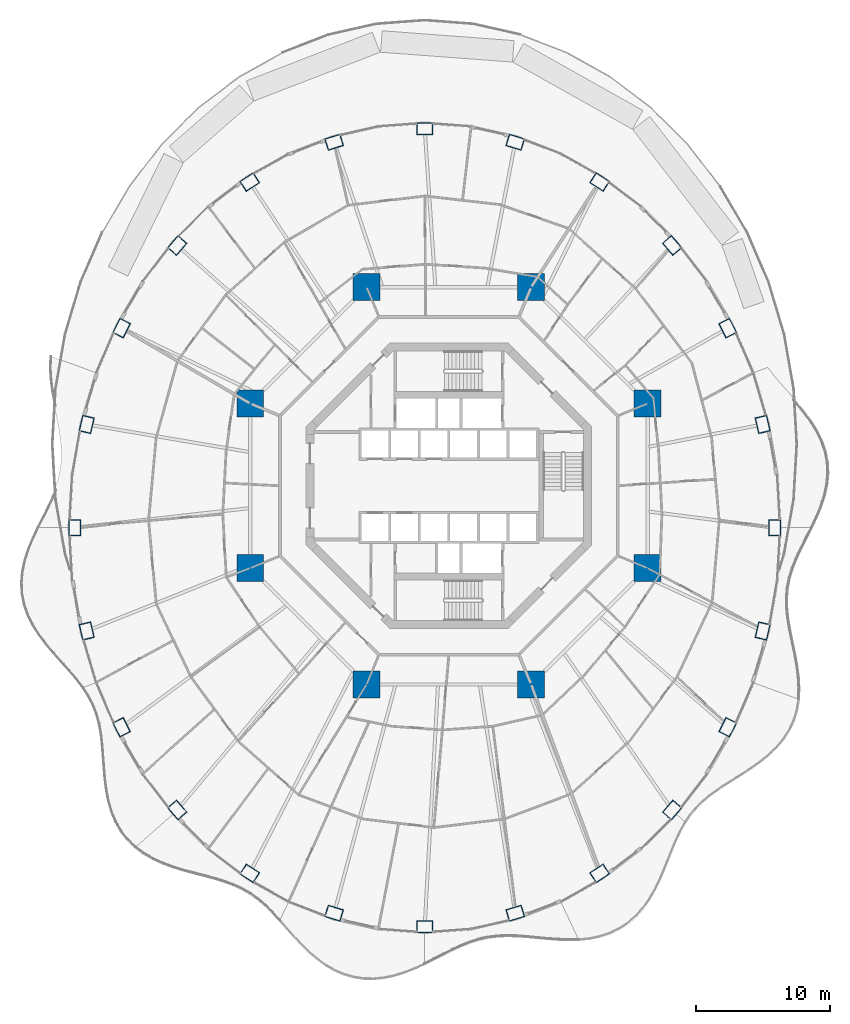
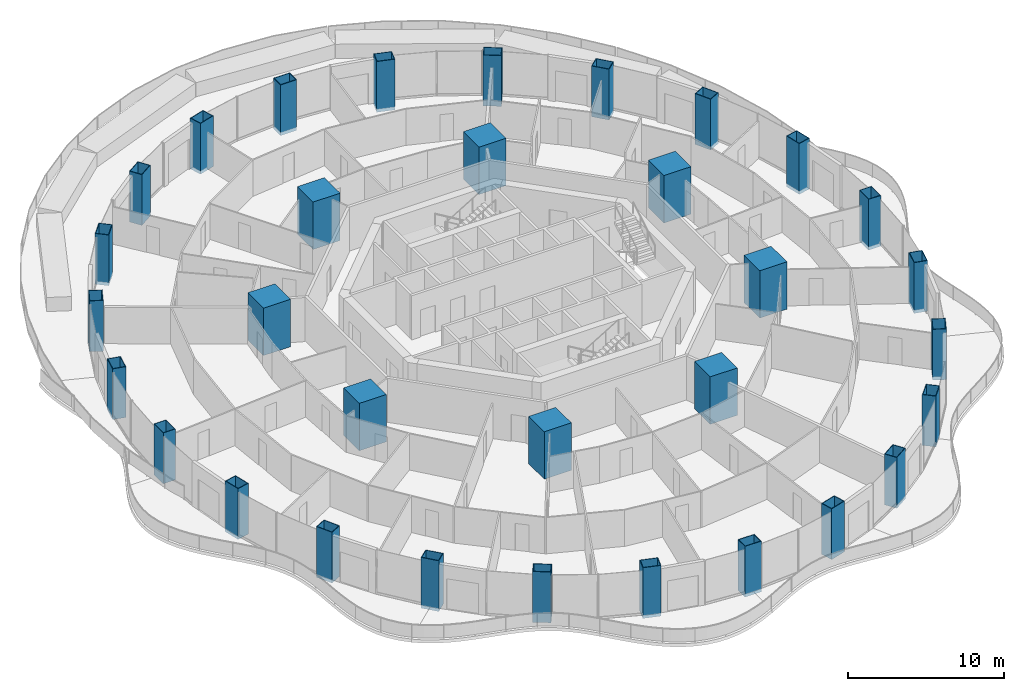
# One storey, part 1 of 20: 32 columns.
"""IFC4 building model written with IfcOpenShell, lengths in metres."""

from ifc_helpers import new_model, si_unit, direction, frame, origin, origin_2d, place, context, subcontext, project, spatial, rectangle, hollow_rectangle, extrude, material, material_profile, profile_set, type_object, element, save


model = new_model("IFC4")

# Units and contexts
model_context = context("Model", 3, precision=1e-05, world=origin(), true_north=direction((0.0, 1.0)))
body_context = subcontext(model_context, "Body", "Model", "MODEL_VIEW")
ifc_project = project(units=[si_unit("LENGTHUNIT", "METRE"), si_unit("AREAUNIT", "SQUARE_METRE"), si_unit("VOLUMEUNIT", "CUBIC_METRE"), si_unit("PLANEANGLEUNIT", "RADIAN"), si_unit("MASSUNIT", "GRAM", prefix="KILO")], contexts=[model_context])

# Site, building, storey
site_placement = place(None, origin())
site = spatial("IfcSite", under=ifc_project, at=site_placement, CompositionType="ELEMENT")
building_placement = place(site_placement, origin())
building = spatial("IfcBuilding", under=site, at=building_placement, Name="Nagisa Residences", CompositionType="ELEMENT")
storey_placement = place(building_placement, frame((0.0, 0.0, 119.60009765625)))
storey = spatial("IfcBuildingStorey", under=building, at=storey_placement, Name="L29", CompositionType="ELEMENT", Elevation=119.60009765625)

# Columns
ifc_material_1 = material(Name="Concrete C80", Category="concrete")
ifc_material_profile_1 = material_profile(ifc_material_1, rectangle(XDim=2.0, YDim=2.0, at=origin_2d()), Name="C80 2000x2000")
ifc_profile_set_1 = profile_set([ifc_material_profile_1], Name="Concrete C80")
column_type_1 = type_object("IfcColumnType", Name="Inner megacolumn C80 2000x2000", PredefinedType="COLUMN", material=ifc_profile_set_1)
for number, where, z_axis, x_axis, name in (
    (1, (14.781982421875, 6.123046875, 0.0), (0.0, 0.0, 1.0), (1.0, 0.0, 0.0), "col:L29:i1"),
    (2, (6.123046875, 14.781982421875, 0.0), (0.0, 0.0, 1.0), (1.0, 0.0, 0.0), "col:L29:i2"),
    (3, (-6.123046875, 14.781982421875, 0.0), (0.0, 0.0, 1.0), (1.0, 0.0, 0.0), "col:L29:i3"),
    (4, (-14.781982421875, 6.123046875, 0.0), (0.0, 0.0, 1.0), (1.0, 0.0, 0.0), "col:L29:i4"),
    (5, (-14.781982421875, -6.123046875, 0.0), (0.0, 0.0, 1.0), (1.0, 0.0, 0.0), "col:L29:i5"),
    (6, (-6.123046875, -14.781982421875, 0.0), (0.0, 0.0, 1.0), (1.0, 0.0, 0.0), "col:L29:i6"),
    (7, (6.123046875, -14.781982421875, 0.0), (0.0, 0.0, 1.0), (1.0, 0.0, 0.0), "col:L29:i7"),
    (8, (14.781982421875, -6.123046875, 0.0), (0.0, 0.0, 1.0), (1.0, 0.0, 0.0), "col:L29:i8"),
):
    element("IfcColumn", number, at=place(storey_placement, frame(where, z_axis=z_axis, x_axis=x_axis)), inside=storey, type_object=column_type_1, Name=name, PredefinedType="COLUMN", context=body_context, shape_type="SweptSolid", body=[
        extrude(rectangle(XDim=2.0, YDim=2.0, at=origin_2d()), origin(), (0.0, 0.0, 1.0), 3.699951171875),
    ])
ifc_material_2 = material(Name="Steel ASTM A572 Gr 50", Category="steel")
ifc_material_profile_2 = material_profile(ifc_material_2, hollow_rectangle(XDim=1.199951171875, YDim=0.89990234375, WallThickness=0.0400390625, at=origin_2d()), Name="BX 1200x900x40")
ifc_profile_set_2 = profile_set([ifc_material_profile_2], Name="Steel ASTM A572 Gr 50")
column_type_2 = type_object("IfcColumnType", Name="Perimeter column BX 1200x900x40", PredefinedType="COLUMN", material=ifc_profile_set_2)
for number, where, z_axis, x_axis, name in (
    (9, (24.235107421875, -3.11767578125, -0.260009765625), (0.0, 0.0, 1.0), (0.0, 1.0, 0.0), "col:L29:p00"),
    (10, (23.347900390625, 4.56787109375, -0.260009765625), (0.0, 0.0, 1.0), (-0.229202013103, 0.973378876486, 0.0), "col:L29:p01"),
    (11, (20.7470703125, 11.729736328125, -0.260009765625), (0.0, 0.0, 1.0), (-0.452462697578, 0.891783329795, 0.0), "col:L29:p02"),
    (12, (16.609619140625, 17.8798828125, -0.260009765625), (0.0, 0.0, 1.0), (-0.660114607735, 0.751164898445, 0.0), "col:L29:p03"),
    (13, (11.217529296875, 22.598876953125, -0.260009765625), (0.0, 0.0, 1.0), (-0.835766105673, 0.54908561865, 0.0), "col:L29:p04"),
    (14, (4.938232421875, 25.5654296875, -0.260009765625), (0.0, 0.0, 1.0), (-0.956524583408, 0.291651712384, 0.0), "col:L29:p05"),
    (15, (-1.800048828125, 26.577392578125, -0.260009765625), (0.0, 0.0, 1.0), (-1.0, 0.0, 0.0), "col:L29:p06"),
    (16, (-8.538330078125, 25.5654296875, -0.260009765625), (0.0, 0.0, 1.0), (-0.956524583408, -0.291651712384, 0.0), "col:L29:p07"),
    (17, (-14.8173828125, 22.598876953125, -0.260009765625), (0.0, 0.0, 1.0), (-0.835766105673, -0.54908561865, 0.0), "col:L29:p08"),
    (18, (-20.20947265625, 17.8798828125, -0.260009765625), (0.0, 0.0, 1.0), (-0.660114607735, -0.751164898445, 0.0), "col:L29:p09"),
    (19, (-24.346923828125, 11.729736328125, -0.260009765625), (0.0, 0.0, 1.0), (-0.452462697578, -0.891783329795, 0.0), "col:L29:p10"),
    (20, (-26.947998046875, 4.56787109375, -0.260009765625), (0.0, 0.0, 1.0), (-0.229202013103, -0.973378876486, 0.0), "col:L29:p11"),
    (21, (-27.8349609375, -3.11767578125, -0.260009765625), (0.0, 0.0, 1.0), (0.0, -1.0, 0.0), "col:L29:p12"),
    (22, (-26.947998046875, -10.80322265625, -0.260009765625), (0.0, 0.0, 1.0), (0.229202013103, -0.973378876486, 0.0), "col:L29:p13"),
    (23, (-24.346923828125, -17.965087890625, -0.260009765625), (0.0, 0.0, 1.0), (0.452462697578, -0.891783329795, 0.0), "col:L29:p14"),
    (24, (-20.20947265625, -24.115234375, -0.260009765625), (0.0, 0.0, 1.0), (0.660114607735, -0.751164898445, 0.0), "col:L29:p15"),
    (25, (-14.8173828125, -28.834228515625, -0.260009765625), (0.0, 0.0, 1.0), (0.835766105673, -0.54908561865, 0.0), "col:L29:p16"),
    (26, (-8.538330078125, -31.80078125, -0.260009765625), (0.0, 0.0, 1.0), (0.956524583408, -0.291651712384, 0.0), "col:L29:p17"),
    (27, (-1.800048828125, -32.812744140625, -0.260009765625), (0.0, 0.0, 1.0), (1.0, 0.0, 0.0), "col:L29:p18"),
    (28, (4.938232421875, -31.80078125, -0.260009765625), (0.0, 0.0, 1.0), (0.956524583408, 0.291651712384, 0.0), "col:L29:p19"),
    (29, (11.217529296875, -28.834228515625, -0.260009765625), (0.0, 0.0, 1.0), (0.835766105673, 0.54908561865, 0.0), "col:L29:p20"),
    (30, (16.609619140625, -24.115234375, -0.260009765625), (0.0, 0.0, 1.0), (0.660114607735, 0.751164898445, 0.0), "col:L29:p21"),
    (31, (20.7470703125, -17.965087890625, -0.260009765625), (0.0, 0.0, 1.0), (0.452462697578, 0.891783329795, 0.0), "col:L29:p22"),
    (32, (23.347900390625, -10.80322265625, -0.260009765625), (0.0, 0.0, 1.0), (0.229202013103, 0.973378876486, 0.0), "col:L29:p23"),
):
    element("IfcColumn", number, at=place(storey_placement, frame(where, z_axis=z_axis, x_axis=x_axis)), inside=storey, type_object=column_type_2, Name=name, PredefinedType="COLUMN", context=body_context, shape_type="SweptSolid", body=[
        extrude(hollow_rectangle(XDim=1.199951171875, YDim=0.89990234375, WallThickness=0.0400390625, at=origin_2d()), origin(), (0.0, 0.0, 1.0), 3.9599609375),
    ])

save(model, "model.ifc")
